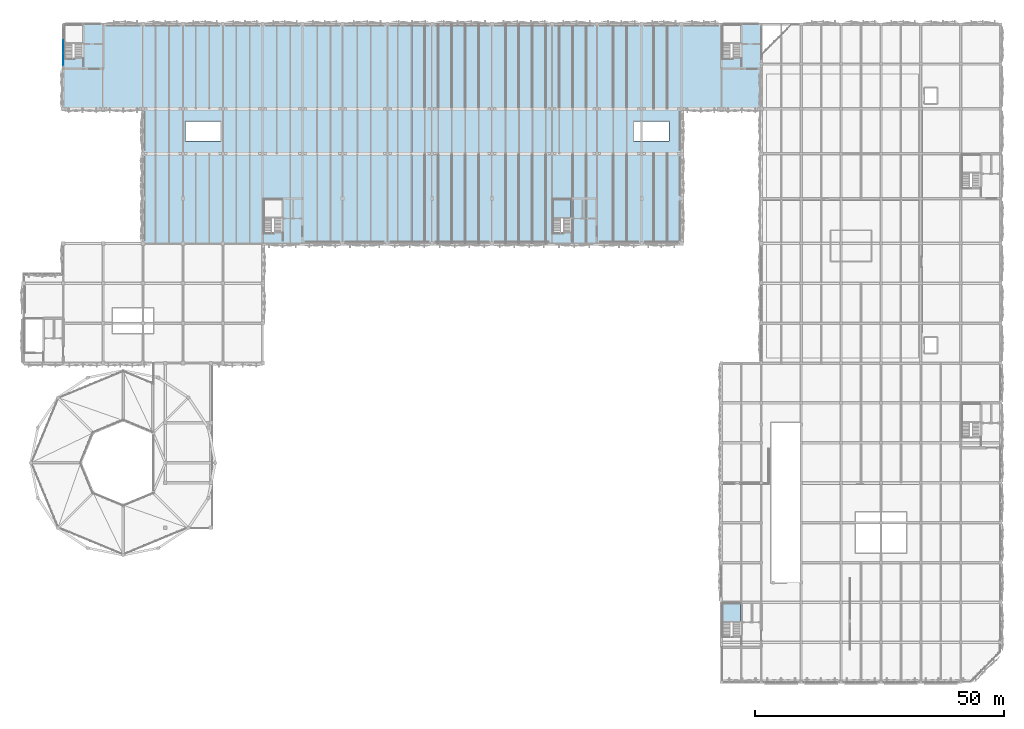
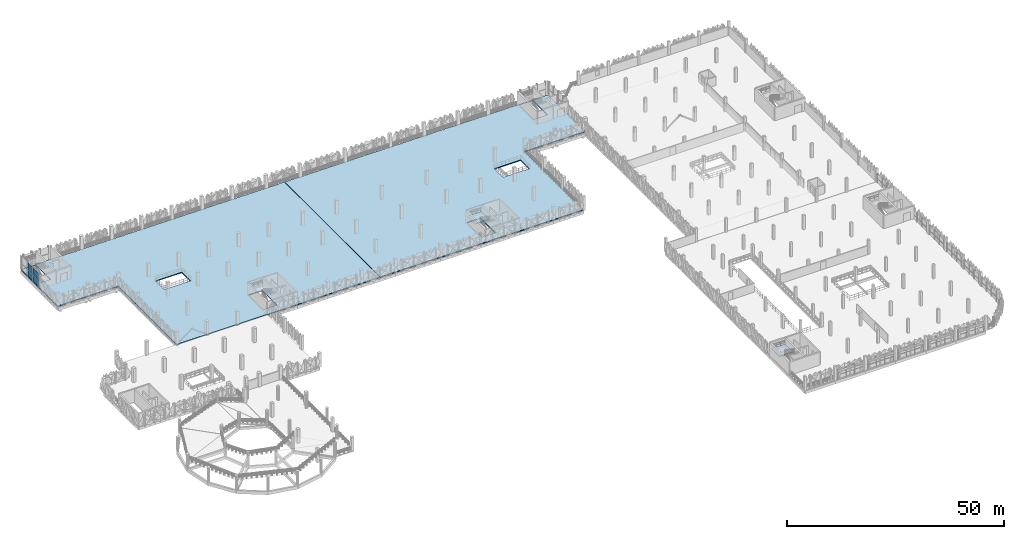
# One storey, part 30 of 83: 4 plates, 4 slabs, 3 elements without a shape of their own.
"""IFC4 building model written with IfcOpenShell, lengths in metres."""

from ifc_helpers import new_model, si_unit, derived_unit, direction, frame, origin, origin_2d, place, context, subcontext, project, spatial, polyline, rectangle, outline, extrude, material, layer, layer_set, type_object, element, aggregate, save


model = new_model("IFC4")

# Units and contexts
model_context = context("Model", 3, precision=1e-05, world=origin(), true_north=direction((0.0, 1.0)))
body_context = subcontext(model_context, "Body", "Model", "MODEL_VIEW")
ifc_project = project(units=[si_unit("LENGTHUNIT", "METRE"), si_unit("AREAUNIT", "SQUARE_METRE"), si_unit("VOLUMEUNIT", "CUBIC_METRE"), si_unit("PLANEANGLEUNIT", "RADIAN"), si_unit("MASSUNIT", "GRAM", prefix="KILO"), si_unit("THERMODYNAMICTEMPERATUREUNIT", "KELVIN"), derived_unit("THERMALTRANSMITTANCEUNIT", [(si_unit("POWERUNIT", "WATT"), 1), (si_unit("AREAUNIT", "SQUARE_METRE"), -1), (si_unit("THERMODYNAMICTEMPERATUREUNIT", "KELVIN"), -1)])], contexts=[model_context])

# Site, building, storey
site_placement = place(None, origin())
site = spatial("IfcSite", under=ifc_project, at=site_placement, CompositionType="ELEMENT")
building_placement = place(site_placement, origin())
building = spatial("IfcBuilding", under=site, at=building_placement, Name="Haiyu Intermodal Mobility Hub", CompositionType="ELEMENT")
storey_placement = place(building_placement, frame((0.0, 0.0, 13.39990234375)))
storey = spatial("IfcBuildingStorey", under=building, at=storey_placement, Name="L03", CompositionType="ELEMENT", Elevation=13.39990234375)

# Curtain wall, plates
ifc_material_1 = material(Name="Low-e laminated insulating glass", Category="glass")
ifc_layer_1 = layer(ifc_material_1, 0.199951171875)
ifc_layer_set_1 = layer_set([ifc_layer_1], Name="Low-e laminated insulating glass")
curtain_wall_type = type_object("IfcCurtainWallType", Name="CW-CW03", PredefinedType="NOTDEFINED", material=ifc_layer_set_1)
curtain_wall_placement = place(storey_placement, origin())
curtain_wall = element("IfcCurtainWall", 1, at=curtain_wall_placement, inside=storey, type_object=curtain_wall_type, Name="Curtain Wall CW-C3S-L03-056", PredefinedType="NOTDEFINED")
ifc_layer_2 = layer(ifc_material_1, 0.0400390625)
ifc_layer_set_2 = layer_set([ifc_layer_2], Name="Low-e laminated insulating glass")
plate_type_1 = type_object("IfcPlateType", Name="PLT-CP03", PredefinedType="CURTAIN_PANEL", material=ifc_layer_set_2)
plate_1_placement = place(storey_placement, frame((22.0, 143.5, 0.03515625), z_axis=(0.0, 0.0, 1.0), x_axis=(0.0, -1.0, 0.0)))
plate_1 = element("IfcPlate", 2, at=plate_1_placement, type_object=plate_type_1, Name="CW-C3S-L03-056-PN03", PredefinedType="CURTAIN_PANEL", context=body_context, shape_type="SweptSolid", body=[
    extrude(rectangle(XDim=2.469970703125, YDim=0.0400390625, at=origin_2d()), origin(), (0.0, 0.0, 1.0), 1.840087890625),
])
plate_2_placement = place(storey_placement, frame((22.0, 140.93994140625, 0.03515625), z_axis=(0.0, 0.0, 1.0), x_axis=(0.0, -1.0, 0.0)))
plate_2 = element("IfcPlate", 3, at=plate_2_placement, type_object=plate_type_1, Name="CW-C3S-L03-056-PN05", PredefinedType="CURTAIN_PANEL", context=body_context, shape_type="SweptSolid", body=[
    extrude(rectangle(XDim=2.469970703125, YDim=0.0400390625, at=origin_2d()), origin(), (0.0, 0.0, 1.0), 1.840087890625),
])
ifc_layer_3 = layer(ifc_material_1, 0.0439453125)
ifc_layer_set_3 = layer_set([ifc_layer_3], Name="Low-e laminated insulating glass")
plate_type_2 = type_object("IfcPlateType", Name="PLT-CP04", PredefinedType="CURTAIN_PANEL", material=ifc_layer_set_3)
plate_3_placement = place(storey_placement, frame((22.0, 143.5, 1.94482421875), z_axis=(0.0, 0.0, 1.0), x_axis=(0.0, -1.0, 0.0)))
plate_3 = element("IfcPlate", 4, at=plate_3_placement, type_object=plate_type_2, Name="CW-C3S-L03-056-PN04", PredefinedType="CURTAIN_PANEL", context=body_context, shape_type="SweptSolid", body=[
    extrude(rectangle(XDim=2.469970703125, YDim=0.0439453125, at=origin_2d()), origin(), (0.0, 0.0, 1.0), 1.840087890625),
])
plate_4_placement = place(storey_placement, frame((22.0, 140.93994140625, 1.94482421875), z_axis=(0.0, 0.0, 1.0), x_axis=(0.0, -1.0, 0.0)))
plate_4 = element("IfcPlate", 5, at=plate_4_placement, type_object=plate_type_2, Name="CW-C3S-L03-056-PN06", PredefinedType="CURTAIN_PANEL", context=body_context, shape_type="SweptSolid", body=[
    extrude(rectangle(XDim=2.469970703125, YDim=0.0439453125, at=origin_2d()), origin(), (0.0, 0.0, 1.0), 1.840087890625),
])
aggregate(curtain_wall, [plate_1, plate_3, plate_2, plate_4])

# Slabs
ifc_material_2 = material(Name="Concrete C40", Category="concrete")
ifc_layer_4 = layer(ifc_material_2, 0.219970703125)
ifc_layer_set_4 = layer_set([ifc_layer_4], Name="Concrete C40")
slab_type_1 = type_object("IfcSlabType", Name="SLB-SL04", PredefinedType="FLOOR", material=ifc_layer_set_4)
slab_1_placement = place(storey_placement, frame((0.0, 0.0, -0.264892578125)))
element("IfcSlab", 6, at=slab_1_placement, inside=storey, type_object=slab_type_1, Name="L03 Precast Parking West Deck", PredefinedType="FLOOR", context=body_context, shape_type="SweptSolid", body=[
    extrude(outline(polyline([(38.0, 104.0), (91.97998046875, 104.0), (91.97998046875, 148.0), (22.0, 148.0), (22.0, 131.0), (38.0, 131.0), (38.0, 104.0)]), holes=[polyline([(22.219970703125, 141.14990234375), (25.85009765625, 141.14990234375), (25.85009765625, 147.949951171875), (22.219970703125, 147.949951171875), (22.219970703125, 141.14990234375)]), polyline([(62.219970703125, 106.14990234375), (65.85009765625, 106.14990234375), (65.85009765625, 112.949951171875), (62.219970703125, 112.949951171875), (62.219970703125, 106.14990234375)]), polyline([(46.5, 124.5), (53.5, 124.5), (53.5, 128.5), (46.5, 128.5), (46.5, 124.5)])]), origin(), (0.0, 0.0, 1.0), 0.264892578125),
])
ifc_layer_5 = layer(ifc_material_2, 0.239990234375)
ifc_layer_set_5 = layer_set([ifc_layer_5], Name="Concrete C40")
slab_type_2 = type_object("IfcSlabType", Name="SLB-SL05", PredefinedType="FLOOR", material=ifc_layer_set_5)
slab_2_placement = place(storey_placement, frame((0.0, 0.0, -0.27490234375)))
element("IfcSlab", 7, at=slab_2_placement, inside=storey, type_object=slab_type_2, Name="L03 Precast Parking & EV East Deck", PredefinedType="FLOOR", context=body_context, shape_type="SweptSolid", body=[
    extrude(outline(polyline([(92.02001953125, 104.0), (146.0, 104.0), (146.0, 131.0), (162.0, 131.0), (162.0, 148.0), (92.02001953125, 148.0), (92.02001953125, 104.0)]), holes=[polyline([(154.219970703125, 141.14990234375), (157.85009765625, 141.14990234375), (157.85009765625, 147.949951171875), (154.219970703125, 147.949951171875), (154.219970703125, 141.14990234375)]), polyline([(120.219970703125, 106.14990234375), (123.85009765625, 106.14990234375), (123.85009765625, 112.949951171875), (120.219970703125, 112.949951171875), (120.219970703125, 106.14990234375)]), polyline([(136.5, 124.5), (143.5, 124.5), (143.5, 128.5), (136.5, 128.5), (136.5, 124.5)])]), origin(), (0.0, 0.0, 1.0), 0.27490234375),
])

# Stair, slab
stair_type_1 = type_object("IfcStairType", Name="STR-ST02", PredefinedType="HALF_TURN_STAIR", material=ifc_material_2)
stair_1_placement = place(storey_placement, origin())
stair_1 = element("IfcStair", 8, at=stair_1_placement, inside=storey, type_object=stair_type_1, Name="Exit Stair ST01 L03", PredefinedType="HALF_TURN_STAIR")
ifc_layer_6 = layer(ifc_material_2, 0.2099609375)
ifc_layer_set_6 = layer_set([ifc_layer_6], Name="Concrete C40")
slab_type_3 = type_object("IfcSlabType", Name="SLB-SL13", PredefinedType="LANDING", material=ifc_layer_set_6)
slab_3_placement = place(storey_placement, frame((0.0, 0.0, 1.739990234375)))
slab_3 = element("IfcSlab", 9, at=slab_3_placement, type_object=slab_type_3, Name="Stair Half-Landing STR-C6-L03-LND", PredefinedType="LANDING", context=body_context, shape_type="SweptSolid", body=[
    extrude(outline(polyline([(120.219970703125, 109.1298828125), (123.8701171875, 109.1298828125), (123.8701171875, 112.780029296875), (120.219970703125, 112.780029296875), (120.219970703125, 109.1298828125)])), origin(), (0.0, 0.0, 1.0), 0.210205078125),
])
aggregate(stair_1, [slab_3])

stair_type_2 = type_object("IfcStairType", Name="STR-ST03", PredefinedType="HALF_TURN_STAIR", material=ifc_material_2)
stair_2_placement = place(storey_placement, origin())
stair_2 = element("IfcStair", 10, at=stair_2_placement, inside=storey, type_object=stair_type_2, Name="Exit Stair ST02 L03", PredefinedType="HALF_TURN_STAIR")
slab_4_placement = place(storey_placement, frame((0.0, 0.0, 1.739990234375)))
slab_4 = element("IfcSlab", 11, at=slab_4_placement, type_object=slab_type_3, Name="Stair Half-Landing STR-C8-L03-LND", PredefinedType="LANDING", context=body_context, shape_type="SweptSolid", body=[
    extrude(outline(polyline([(154.219970703125, 28.1298828125), (157.8701171875, 28.1298828125), (157.8701171875, 31.780029296875), (154.219970703125, 31.780029296875), (154.219970703125, 28.1298828125)])), origin(), (0.0, 0.0, 1.0), 0.210205078125),
])
aggregate(stair_2, [slab_4])

save(model, "model.ifc")
